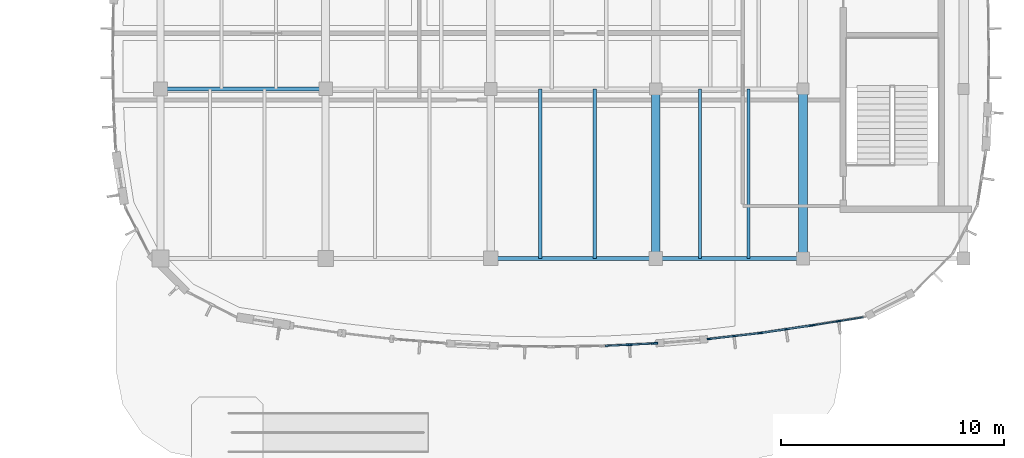
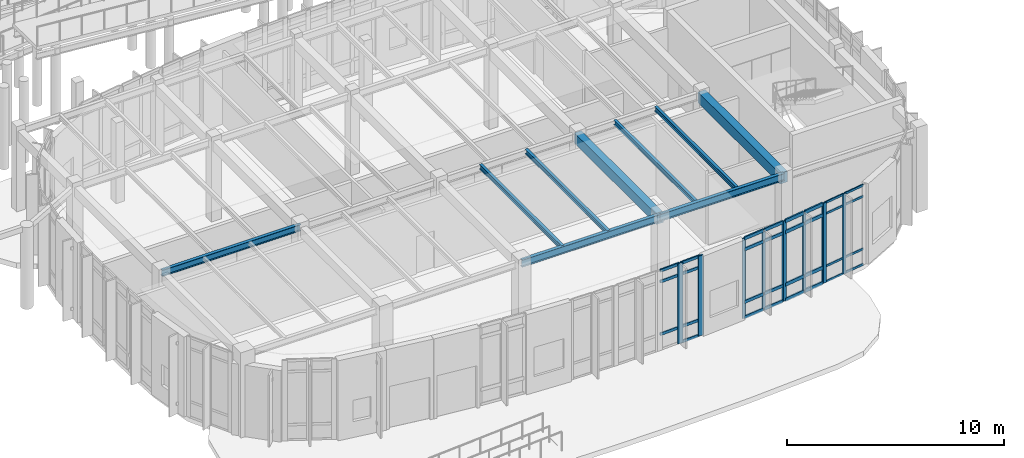
# One storey, part 31 of 120: 41 members, 9 beams, 4 elements without a shape of their own.
"""IFC4 building model written with IfcOpenShell, lengths in metres."""

from ifc_helpers import new_model, si_unit, direction, frame, origin, origin_2d, place, context, subcontext, project, spatial, rectangle, i_section, extrude, material, material_profile, profile_set, type_object, element, aggregate, save


model = new_model("IFC4")

# Units and contexts
model_context = context("Model", 3, precision=1e-05, world=origin(), true_north=direction((0.0, 1.0)))
body_context = subcontext(model_context, "Body", "Model", "MODEL_VIEW")
ifc_project = project(units=[si_unit("LENGTHUNIT", "METRE"), si_unit("AREAUNIT", "SQUARE_METRE"), si_unit("VOLUMEUNIT", "CUBIC_METRE"), si_unit("PLANEANGLEUNIT", "RADIAN"), si_unit("MASSUNIT", "GRAM", prefix="KILO")], contexts=[model_context])

# Site, building, storey
site_placement = place(None, origin())
site = spatial("IfcSite", under=ifc_project, at=site_placement, CompositionType="ELEMENT")
building_placement = place(site_placement, origin())
building = spatial("IfcBuilding", under=site, at=building_placement, Name="Corveleigh Park Community Centre", CompositionType="ELEMENT")
storey_placement = place(building_placement, origin())
storey = spatial("IfcBuildingStorey", under=building, at=storey_placement, Name="L00", CompositionType="ELEMENT", Elevation=0.0)

# Beams
ifc_material_1 = material(Name="Concrete C40/50", Category="concrete")
ifc_material_profile_1 = material_profile(ifc_material_1, rectangle(XDim=0.375, YDim=0.574951171875, at=origin_2d()), Name="RC-375x575", Category="concrete")
ifc_profile_set_1 = profile_set([ifc_material_profile_1], Name="Concrete C40/50")
beam_type_1 = type_object("IfcBeamType", Name="BM-RC-375x575", PredefinedType="BEAM", material=ifc_profile_set_1)
beam_1_placement = place(storey_placement, frame((94.199951171875, 11.205078125, 4.25439453125), z_axis=(0.0, 1.0, 0.0), x_axis=(-1.0, 0.0, 0.0)))
element("IfcBeam", 1, at=beam_1_placement, inside=storey, type_object=beam_type_1, Name="V3 Girder Y", PredefinedType="BEAM", context=body_context, shape_type="SweptSolid", body=[
    extrude(rectangle(XDim=0.375, YDim=0.574951171875, at=origin_2d()), origin(), (0.0, 0.0, 1.0), 7.58984375),
])
ifc_material_profile_2 = material_profile(ifc_material_1, rectangle(XDim=0.39990234375, YDim=0.60009765625, at=origin_2d()), Name="RC-400x600", Category="concrete")
ifc_profile_set_2 = profile_set([ifc_material_profile_2], Name="Concrete C40/50")
beam_type_2 = type_object("IfcBeamType", Name="BM-RC-400x600", PredefinedType="BEAM", material=ifc_profile_set_2)
beam_2_placement = place(storey_placement, frame((100.800048828125, 11.205078125, 4.241943359375), z_axis=(0.0, 1.0, 0.0), x_axis=(-1.0, 0.0, 0.0)))
element("IfcBeam", 2, at=beam_2_placement, inside=storey, type_object=beam_type_2, Name="V3 Girder Y", PredefinedType="BEAM", context=body_context, shape_type="SweptSolid", body=[
    extrude(rectangle(XDim=0.39990234375, YDim=0.60009765625, at=origin_2d()), origin(), (0.0, 0.0, 1.0), 7.58984375),
])
ifc_material_2 = material(Name="Steel S355", Category="steel")
ifc_material_profile_3 = material_profile(ifc_material_2, i_section(OverallWidth=0.146484375, OverallDepth=0.256103515625, WebThickness=0.00634765625, FlangeThickness=0.010986328125, at=origin_2d()), Name="UKB 254x146x37", Category="steel")
ifc_profile_set_3 = profile_set([ifc_material_profile_3], Name="Steel S355")
beam_type_3 = type_object("IfcBeamType", Name="BM-STL-UKB254x37", PredefinedType="JOIST", material=ifc_profile_set_3)
for number, where, z_axis, x_axis, name in (
    (3, (89.02001953125, 11.205078125, 4.4140625), (0.0, 1.0, 0.0), (-1.0, 0.0, 0.0), "Secondary floor joist"),
    (4, (91.4619140625, 11.205078125, 4.4140625), (0.0, 1.0, 0.0), (-1.0, 0.0, 0.0), "Secondary floor joist"),
):
    element("IfcBeam", number, at=place(storey_placement, frame(where, z_axis=z_axis, x_axis=x_axis)), inside=storey, type_object=beam_type_3, Name=name, PredefinedType="JOIST", context=body_context, shape_type="SweptSolid", body=[
        extrude(i_section(OverallWidth=0.146484375, OverallDepth=0.256103515625, WebThickness=0.00634765625, FlangeThickness=0.010986328125, at=origin_2d()), origin(), (0.0, 0.0, 1.0), 7.58984375),
    ])
ifc_material_profile_4 = material_profile(ifc_material_2, i_section(OverallWidth=0.147216796875, OverallDepth=0.259521484375, WebThickness=0.007080078125, FlangeThickness=0.0126953125, at=origin_2d()), Name="UKB 254x146x43", Category="steel")
ifc_profile_set_4 = profile_set([ifc_material_profile_4], Name="Steel S355")
beam_type_4 = type_object("IfcBeamType", Name="BM-STL-UKB254x43", PredefinedType="JOIST", material=ifc_profile_set_4)
for number, where, z_axis, x_axis, name in (
    (5, (96.179931640625, 11.205078125, 4.412109375), (0.0, 1.0, 0.0), (-1.0, 0.0, 0.0), "Secondary floor joist"),
    (6, (98.35791015625, 11.205078125, 4.412109375), (0.0, 1.0, 0.0), (-1.0, 0.0, 0.0), "Secondary floor joist"),
):
    element("IfcBeam", number, at=place(storey_placement, frame(where, z_axis=z_axis, x_axis=x_axis)), inside=storey, type_object=beam_type_4, Name=name, PredefinedType="JOIST", context=body_context, shape_type="SweptSolid", body=[
        extrude(i_section(OverallWidth=0.147216796875, OverallDepth=0.259521484375, WebThickness=0.007080078125, FlangeThickness=0.0126953125, at=origin_2d()), origin(), (0.0, 0.0, 1.0), 7.58984375),
    ])
ifc_material_profile_5 = material_profile(ifc_material_2, i_section(OverallWidth=0.173095703125, OverallDepth=0.36328125, WebThickness=0.009033203125, FlangeThickness=0.015625, at=origin_2d()), Name="UKB 356x171x67", Category="steel")
ifc_profile_set_5 = profile_set([ifc_material_profile_5], Name="Steel S355")
beam_type_5 = type_object("IfcBeamType", Name="BM-STL-UKB356x67", PredefinedType="BEAM", material=ifc_profile_set_5)
beam_3_placement = place(storey_placement, frame((72.0048828125, 18.800048828125, 4.3603515625), z_axis=(1.0, 0.0, 0.0), x_axis=(0.0, 1.0, 0.0)))
element("IfcBeam", 7, at=beam_3_placement, inside=storey, type_object=beam_type_5, Name="V3 Girder X", PredefinedType="BEAM", context=body_context, shape_type="SweptSolid", body=[
    extrude(i_section(OverallWidth=0.173095703125, OverallDepth=0.36328125, WebThickness=0.009033203125, FlangeThickness=0.015625, at=origin_2d()), origin(), (0.0, 0.0, 1.0), 7.39013671875),
])
ifc_material_profile_6 = material_profile(ifc_material_2, i_section(OverallWidth=0.177978515625, OverallDepth=0.406494140625, WebThickness=0.0078125, FlangeThickness=0.0126953125, at=origin_2d()), Name="UKB 406x178x60", Category="steel")
ifc_profile_set_6 = profile_set([ifc_material_profile_6], Name="Steel S355")
beam_type_6 = type_object("IfcBeamType", Name="BM-STL-UKB406x60", PredefinedType="BEAM", material=ifc_profile_set_6)
beam_4_placement = place(storey_placement, frame((86.804931640625, 11.199951171875, 4.3388671875), z_axis=(1.0, 0.0, 0.0), x_axis=(0.0, 1.0, 0.0)))
element("IfcBeam", 8, at=beam_4_placement, inside=storey, type_object=beam_type_6, Name="V3 Girder X", PredefinedType="BEAM", context=body_context, shape_type="SweptSolid", body=[
    extrude(i_section(OverallWidth=0.177978515625, OverallDepth=0.406494140625, WebThickness=0.0078125, FlangeThickness=0.0126953125, at=origin_2d()), origin(), (0.0, 0.0, 1.0), 7.39013671875),
])
ifc_material_profile_7 = material_profile(ifc_material_2, i_section(OverallWidth=0.1787109375, OverallDepth=0.409423828125, WebThickness=0.0087890625, FlangeThickness=0.014404296875, at=origin_2d()), Name="UKB 406x178x67", Category="steel")
ifc_profile_set_7 = profile_set([ifc_material_profile_7], Name="Steel S355")
beam_type_7 = type_object("IfcBeamType", Name="BM-STL-UKB406x67", PredefinedType="BEAM", material=ifc_profile_set_7)
beam_5_placement = place(storey_placement, frame((94.205078125, 11.199951171875, 4.33740234375), z_axis=(1.0, 0.0, 0.0), x_axis=(0.0, 1.0, 0.0)))
element("IfcBeam", 9, at=beam_5_placement, inside=storey, type_object=beam_type_7, Name="V3 Girder X", PredefinedType="BEAM", context=body_context, shape_type="SweptSolid", body=[
    extrude(i_section(OverallWidth=0.1787109375, OverallDepth=0.409423828125, WebThickness=0.0087890625, FlangeThickness=0.014404296875, at=origin_2d()), origin(), (0.0, 0.0, 1.0), 6.58984375),
])

# Curtain wall, members
ifc_material_3 = material(Name="Anodised aluminium 6063-T6", Category="aluminium")
curtain_wall_type = type_object("IfcCurtainWallType", Name="CW-SYS-V3-L00", PredefinedType="NOTDEFINED", material=ifc_material_3)
curtain_wall_1_placement = place(storey_placement, origin())
curtain_wall_1 = element("IfcCurtainWall", 10, at=curtain_wall_1_placement, inside=storey, type_object=curtain_wall_type, Name="V3 L00 Curtain Wall 79", PredefinedType="NOTDEFINED")
ifc_material_profile_8 = material_profile(ifc_material_3, rectangle(XDim=0.06005859375, YDim=0.159912109375, at=origin_2d()), Name="ALU-M60x160", Category="aluminium")
ifc_profile_set_8 = profile_set([ifc_material_profile_8], Name="Anodised aluminium 6063-T6")
member_type_1 = type_object("IfcMemberType", Name="CWM-60x160", PredefinedType="MULLION", material=ifc_profile_set_8)
member_1_placement = place(storey_placement, frame((98.836181640625, 7.8505859375, 0.0), z_axis=(0.0, 0.0, 1.0), x_axis=(0.114477641449, -0.993425824915, 0.0)))
member_1 = element("IfcMember", 11, at=member_1_placement, type_object=member_type_1, Name="CW05 mullion 1", PredefinedType="MULLION", context=body_context, shape_type="SweptSolid", body=[
    extrude(rectangle(XDim=0.06005859375, YDim=0.159912109375, at=origin_2d()), origin(), (0.0, 0.0, 1.0), 4.511962890625),
])
member_2_placement = place(storey_placement, frame((97.70751953125, 7.720458984375, 0.0), z_axis=(0.0, 0.0, 1.0), x_axis=(0.114477641449, -0.993425824915, 0.0)))
member_2 = element("IfcMember", 12, at=member_2_placement, type_object=member_type_1, Name="CW05 mullion 2", PredefinedType="MULLION", context=body_context, shape_type="SweptSolid", body=[
    extrude(rectangle(XDim=0.06005859375, YDim=0.159912109375, at=origin_2d()), origin(), (0.0, 0.0, 1.0), 4.511962890625),
])
member_3_placement = place(storey_placement, frame((96.578857421875, 7.59033203125, 0.0), z_axis=(0.0, 0.0, 1.0), x_axis=(0.114477641449, -0.993425824915, 0.0)))
member_3 = element("IfcMember", 13, at=member_3_placement, type_object=member_type_1, Name="CW05 mullion 3", PredefinedType="MULLION", context=body_context, shape_type="SweptSolid", body=[
    extrude(rectangle(XDim=0.06005859375, YDim=0.159912109375, at=origin_2d()), origin(), (0.0, 0.0, 1.0), 4.511962890625),
])

curtain_wall_2_placement = place(storey_placement, origin())
curtain_wall_2 = element("IfcCurtainWall", 14, at=curtain_wall_2_placement, inside=storey, type_object=curtain_wall_type, Name="V3 L00 Curtain Wall 80", PredefinedType="NOTDEFINED")
ifc_material_profile_9 = material_profile(ifc_material_3, rectangle(XDim=0.06494140625, YDim=0.179931640625, at=origin_2d()), Name="ALU-M65x180", Category="aluminium")
ifc_profile_set_9 = profile_set([ifc_material_profile_9], Name="Anodised aluminium 6063-T6")
member_type_2 = type_object("IfcMemberType", Name="CWM-65x180", PredefinedType="MULLION", material=ifc_profile_set_9)
member_4_placement = place(storey_placement, frame((101.160888671875, 8.1943359375, 0.0), z_axis=(0.0, 0.0, 1.0), x_axis=(0.146936785797, -0.989145884579, 0.0)))
member_4 = element("IfcMember", 15, at=member_4_placement, type_object=member_type_2, Name="CW05 mullion 1", PredefinedType="MULLION", context=body_context, shape_type="SweptSolid", body=[
    extrude(rectangle(XDim=0.06494140625, YDim=0.179931640625, at=origin_2d()), origin(), (0.0, 0.0, 1.0), 4.511962890625),
])
member_5_placement = place(storey_placement, frame((100.03857421875, 8.027587890625, 0.0), z_axis=(0.0, 0.0, 1.0), x_axis=(0.146936785797, -0.989145884579, 0.0)))
member_5 = element("IfcMember", 16, at=member_5_placement, type_object=member_type_2, Name="CW05 mullion 2", PredefinedType="MULLION", context=body_context, shape_type="SweptSolid", body=[
    extrude(rectangle(XDim=0.06494140625, YDim=0.179931640625, at=origin_2d()), origin(), (0.0, 0.0, 1.0), 4.511962890625),
])
member_6_placement = place(storey_placement, frame((98.916259765625, 7.86083984375, 0.0), z_axis=(0.0, 0.0, 1.0), x_axis=(0.146936785797, -0.989145884579, 0.0)))
member_6 = element("IfcMember", 17, at=member_6_placement, type_object=member_type_2, Name="CW05 mullion 3", PredefinedType="MULLION", context=body_context, shape_type="SweptSolid", body=[
    extrude(rectangle(XDim=0.06494140625, YDim=0.179931640625, at=origin_2d()), origin(), (0.0, 0.0, 1.0), 4.511962890625),
])

curtain_wall_3_placement = place(storey_placement, origin())
curtain_wall_3 = element("IfcCurtainWall", 18, at=curtain_wall_3_placement, inside=storey, type_object=curtain_wall_type, Name="V3 L00 Curtain Wall 81", PredefinedType="NOTDEFINED")
ifc_material_profile_10 = material_profile(ifc_material_3, rectangle(XDim=0.070068359375, YDim=0.199951171875, at=origin_2d()), Name="ALU-M70x200", Category="aluminium")
ifc_profile_set_10 = profile_set([ifc_material_profile_10], Name="Anodised aluminium 6063-T6")
member_type_3 = type_object("IfcMemberType", Name="CWM-70x200", PredefinedType="MULLION", material=ifc_profile_set_10)
member_7_placement = place(storey_placement, frame((102.389404296875, 8.388427734375, 0.0), z_axis=(0.0, 0.0, 1.0), x_axis=(0.156605894344, -0.98766117361, 0.0)))
member_7 = element("IfcMember", 19, at=member_7_placement, type_object=member_type_3, Name="CW05 mullion 2", PredefinedType="MULLION", context=body_context, shape_type="SweptSolid", body=[
    extrude(rectangle(XDim=0.070068359375, YDim=0.199951171875, at=origin_2d()), origin(), (0.0, 0.0, 1.0), 4.511962890625),
])
member_8_placement = place(storey_placement, frame((101.241455078125, 8.20654296875, 0.0), z_axis=(0.0, 0.0, 1.0), x_axis=(0.156605894344, -0.98766117361, 0.0)))
member_8 = element("IfcMember", 20, at=member_8_placement, type_object=member_type_3, Name="CW05 mullion 3", PredefinedType="MULLION", context=body_context, shape_type="SweptSolid", body=[
    extrude(rectangle(XDim=0.070068359375, YDim=0.199951171875, at=origin_2d()), origin(), (0.0, 0.0, 1.0), 4.511962890625),
])

curtain_wall_4_placement = place(storey_placement, origin())
curtain_wall_4 = element("IfcCurtainWall", 21, at=curtain_wall_4_placement, inside=storey, type_object=curtain_wall_type, Name="V3 L00 Curtain Wall 78", PredefinedType="NOTDEFINED")
ifc_material_profile_11 = material_profile(ifc_material_3, rectangle(XDim=0.0849609375, YDim=0.27490234375, at=origin_2d()), Name="ALU-M85x275", Category="aluminium")
ifc_profile_set_11 = profile_set([ifc_material_profile_11], Name="Anodised aluminium 6063-T6")
member_type_4 = type_object("IfcMemberType", Name="CWM-85x275", PredefinedType="MULLION", material=ifc_profile_set_11)
member_9_placement = place(storey_placement, frame((94.146484375, 7.391845703125, 0.0), z_axis=(0.0, 0.0, 1.0), x_axis=(0.049723823459, -0.998763005613, 0.0)))
member_9 = element("IfcMember", 22, at=member_9_placement, type_object=member_type_4, Name="CW05 mullion 1", PredefinedType="MULLION", context=body_context, shape_type="SweptSolid", body=[
    extrude(rectangle(XDim=0.0849609375, YDim=0.27490234375, at=origin_2d()), origin(), (0.0, 0.0, 1.0), 4.511962890625),
])
member_10_placement = place(storey_placement, frame((93.02392578125, 7.3359375, 0.0), z_axis=(0.0, 0.0, 1.0), x_axis=(0.049723823459, -0.998763005613, 0.0)))
member_10 = element("IfcMember", 23, at=member_10_placement, type_object=member_type_4, Name="CW05 mullion 2", PredefinedType="MULLION", context=body_context, shape_type="SweptSolid", body=[
    extrude(rectangle(XDim=0.0849609375, YDim=0.27490234375, at=origin_2d()), origin(), (0.0, 0.0, 1.0), 4.511962890625),
])

# Member
ifc_material_profile_12 = material_profile(ifc_material_3, rectangle(XDim=0.06005859375, YDim=0.1201171875, at=origin_2d()), Name="ALU-T60x120", Category="aluminium")
ifc_profile_set_12 = profile_set([ifc_material_profile_12], Name="Anodised aluminium 6063-T6")
member_type_5 = type_object("IfcMemberType", Name="CWT-60x120", PredefinedType="USERDEFINED", material=ifc_profile_set_12)
member_11_placement = place(storey_placement, frame((103.5029296875, 8.56494140625, 0.030029296875), z_axis=(-0.98768491603, -0.156456085363, 0.0), x_axis=(0.156456085363, -0.98768491603, 0.0)))
member_11 = element("IfcMember", 24, at=member_11_placement, type_object=member_type_5, Name="CW05 transom 1.1", ObjectType="TRANSOM", PredefinedType="USERDEFINED", context=body_context, shape_type="SweptSolid", body=[
    extrude(rectangle(XDim=0.06005859375, YDim=0.1201171875, at=origin_2d()), origin(), (0.0, 0.0, 1.0), 1.09228515625),
])

member_12_placement = place(storey_placement, frame((103.5029296875, 8.56494140625, 0.89990234375), z_axis=(-0.98768491603, -0.156456085363, 0.0), x_axis=(0.156456085363, -0.98768491603, 0.0)))
member_12 = element("IfcMember", 25, at=member_12_placement, type_object=member_type_5, Name="CW05 transom 1.2", ObjectType="TRANSOM", PredefinedType="USERDEFINED", context=body_context, shape_type="SweptSolid", body=[
    extrude(rectangle(XDim=0.06005859375, YDim=0.1201171875, at=origin_2d()), origin(), (0.0, 0.0, 1.0), 1.09228515625),
])

member_13_placement = place(storey_placement, frame((103.5029296875, 8.56494140625, 3.862060546875), z_axis=(-0.98768491603, -0.156456085363, 0.0), x_axis=(0.156456085363, -0.98768491603, 0.0)))
member_13 = element("IfcMember", 26, at=member_13_placement, type_object=member_type_5, Name="CW05 transom 1.3", ObjectType="TRANSOM", PredefinedType="USERDEFINED", context=body_context, shape_type="SweptSolid", body=[
    extrude(rectangle(XDim=0.06005859375, YDim=0.1201171875, at=origin_2d()), origin(), (0.0, 0.0, 1.0), 1.09228515625),
])

member_14_placement = place(storey_placement, frame((103.5029296875, 8.56494140625, 4.48193359375), z_axis=(-0.98768491603, -0.156456085363, 0.0), x_axis=(0.156456085363, -0.98768491603, 0.0)))
member_14 = element("IfcMember", 27, at=member_14_placement, type_object=member_type_5, Name="CW05 transom 1.4", ObjectType="TRANSOM", PredefinedType="USERDEFINED", context=body_context, shape_type="SweptSolid", body=[
    extrude(rectangle(XDim=0.06005859375, YDim=0.1201171875, at=origin_2d()), origin(), (0.0, 0.0, 1.0), 1.09228515625),
])

member_15_placement = place(storey_placement, frame((102.35498046875, 8.383056640625, 0.030029296875), z_axis=(-0.987650354528, -0.156674111456, 0.0), x_axis=(0.156674111456, -0.987650354528, 0.0)))
member_15 = element("IfcMember", 28, at=member_15_placement, type_object=member_type_5, Name="CW05 transom 2.1", ObjectType="TRANSOM", PredefinedType="USERDEFINED", context=body_context, shape_type="SweptSolid", body=[
    extrude(rectangle(XDim=0.06005859375, YDim=0.1201171875, at=origin_2d()), origin(), (0.0, 0.0, 1.0), 1.09228515625),
])

member_16_placement = place(storey_placement, frame((102.35498046875, 8.383056640625, 0.89990234375), z_axis=(-0.987650354528, -0.156674111456, 0.0), x_axis=(0.156674111456, -0.987650354528, 0.0)))
member_16 = element("IfcMember", 29, at=member_16_placement, type_object=member_type_5, Name="CW05 transom 2.2", ObjectType="TRANSOM", PredefinedType="USERDEFINED", context=body_context, shape_type="SweptSolid", body=[
    extrude(rectangle(XDim=0.06005859375, YDim=0.1201171875, at=origin_2d()), origin(), (0.0, 0.0, 1.0), 1.09228515625),
])

member_17_placement = place(storey_placement, frame((102.35498046875, 8.383056640625, 3.862060546875), z_axis=(-0.987650354528, -0.156674111456, 0.0), x_axis=(0.156674111456, -0.987650354528, 0.0)))
member_17 = element("IfcMember", 30, at=member_17_placement, type_object=member_type_5, Name="CW05 transom 2.3", ObjectType="TRANSOM", PredefinedType="USERDEFINED", context=body_context, shape_type="SweptSolid", body=[
    extrude(rectangle(XDim=0.06005859375, YDim=0.1201171875, at=origin_2d()), origin(), (0.0, 0.0, 1.0), 1.09228515625),
])

member_18_placement = place(storey_placement, frame((102.35498046875, 8.383056640625, 4.48193359375), z_axis=(-0.987650354528, -0.156674111456, 0.0), x_axis=(0.156674111456, -0.987650354528, 0.0)))
member_18 = element("IfcMember", 31, at=member_18_placement, type_object=member_type_5, Name="CW05 transom 2.4", ObjectType="TRANSOM", PredefinedType="USERDEFINED", context=body_context, shape_type="SweptSolid", body=[
    extrude(rectangle(XDim=0.06005859375, YDim=0.1201171875, at=origin_2d()), origin(), (0.0, 0.0, 1.0), 1.09228515625),
])

aggregate(curtain_wall_3, [member_7, member_8, member_11, member_12, member_13, member_14, member_15, member_16, member_17, member_18])

ifc_material_profile_13 = material_profile(ifc_material_3, rectangle(XDim=0.070068359375, YDim=0.155029296875, at=origin_2d()), Name="ALU-T70x155", Category="aluminium")
ifc_profile_set_13 = profile_set([ifc_material_profile_13], Name="Anodised aluminium 6063-T6")
member_type_6 = type_object("IfcMemberType", Name="CWT-70x155", PredefinedType="USERDEFINED", material=ifc_profile_set_13)
member_19_placement = place(storey_placement, frame((94.10400390625, 7.389892578125, 0.034912109375), z_axis=(-0.998758192398, -0.049820408656, 0.0), x_axis=(0.049820408656, -0.998758192398, 0.0)))
member_19 = element("IfcMember", 32, at=member_19_placement, type_object=member_type_6, Name="CW05 transom 1.1", ObjectType="TRANSOM", PredefinedType="USERDEFINED", context=body_context, shape_type="SweptSolid", body=[
    extrude(rectangle(XDim=0.070068359375, YDim=0.155029296875, at=origin_2d()), origin(), (0.0, 0.0, 1.0), 1.038818359375),
])

member_20_placement = place(storey_placement, frame((94.10400390625, 7.389892578125, 0.89990234375), z_axis=(-0.998758192398, -0.049820408656, 0.0), x_axis=(0.049820408656, -0.998758192398, 0.0)))
member_20 = element("IfcMember", 33, at=member_20_placement, type_object=member_type_6, Name="CW05 transom 1.2", ObjectType="TRANSOM", PredefinedType="USERDEFINED", context=body_context, shape_type="SweptSolid", body=[
    extrude(rectangle(XDim=0.070068359375, YDim=0.155029296875, at=origin_2d()), origin(), (0.0, 0.0, 1.0), 1.038818359375),
])

member_21_placement = place(storey_placement, frame((94.10400390625, 7.389892578125, 3.862060546875), z_axis=(-0.998758192398, -0.049820408656, 0.0), x_axis=(0.049820408656, -0.998758192398, 0.0)))
member_21 = element("IfcMember", 34, at=member_21_placement, type_object=member_type_6, Name="CW05 transom 1.3", ObjectType="TRANSOM", PredefinedType="USERDEFINED", context=body_context, shape_type="SweptSolid", body=[
    extrude(rectangle(XDim=0.070068359375, YDim=0.155029296875, at=origin_2d()), origin(), (0.0, 0.0, 1.0), 1.038818359375),
])

member_22_placement = place(storey_placement, frame((94.10400390625, 7.389892578125, 4.47705078125), z_axis=(-0.998758192398, -0.049820408656, 0.0), x_axis=(0.049820408656, -0.998758192398, 0.0)))
member_22 = element("IfcMember", 35, at=member_22_placement, type_object=member_type_6, Name="CW05 transom 1.4", ObjectType="TRANSOM", PredefinedType="USERDEFINED", context=body_context, shape_type="SweptSolid", body=[
    extrude(rectangle(XDim=0.070068359375, YDim=0.155029296875, at=origin_2d()), origin(), (0.0, 0.0, 1.0), 1.038818359375),
])

member_23_placement = place(storey_placement, frame((92.9814453125, 7.333984375, 0.89990234375), z_axis=(-0.998758192398, -0.049820408656, 0.0), x_axis=(0.049820408656, -0.998758192398, 0.0)))
member_23 = element("IfcMember", 36, at=member_23_placement, type_object=member_type_6, Name="CW05 transom 2.2", ObjectType="TRANSOM", PredefinedType="USERDEFINED", context=body_context, shape_type="SweptSolid", body=[
    extrude(rectangle(XDim=0.070068359375, YDim=0.155029296875, at=origin_2d()), origin(), (0.0, 0.0, 1.0), 1.038818359375),
])

member_24_placement = place(storey_placement, frame((92.9814453125, 7.333984375, 3.862060546875), z_axis=(-0.998758192398, -0.049820408656, 0.0), x_axis=(0.049820408656, -0.998758192398, 0.0)))
member_24 = element("IfcMember", 37, at=member_24_placement, type_object=member_type_6, Name="CW05 transom 2.3", ObjectType="TRANSOM", PredefinedType="USERDEFINED", context=body_context, shape_type="SweptSolid", body=[
    extrude(rectangle(XDim=0.070068359375, YDim=0.155029296875, at=origin_2d()), origin(), (0.0, 0.0, 1.0), 1.038818359375),
])

member_25_placement = place(storey_placement, frame((92.9814453125, 7.333984375, 4.47705078125), z_axis=(-0.998758192398, -0.049820408656, 0.0), x_axis=(0.049820408656, -0.998758192398, 0.0)))
member_25 = element("IfcMember", 38, at=member_25_placement, type_object=member_type_6, Name="CW05 transom 2.4", ObjectType="TRANSOM", PredefinedType="USERDEFINED", context=body_context, shape_type="SweptSolid", body=[
    extrude(rectangle(XDim=0.070068359375, YDim=0.155029296875, at=origin_2d()), origin(), (0.0, 0.0, 1.0), 1.038818359375),
])

aggregate(curtain_wall_4, [member_9, member_10, member_19, member_20, member_21, member_22, member_23, member_24, member_25])

ifc_material_profile_14 = material_profile(ifc_material_3, rectangle(XDim=0.074951171875, YDim=0.175048828125, at=origin_2d()), Name="ALU-T75x175", Category="aluminium")
ifc_profile_set_14 = profile_set([ifc_material_profile_14], Name="Anodised aluminium 6063-T6")
member_type_7 = type_object("IfcMemberType", Name="CWT-75x175", PredefinedType="USERDEFINED", material=ifc_profile_set_14)
member_26_placement = place(storey_placement, frame((98.806396484375, 7.84716796875, 0.03759765625), z_axis=(-0.993415888846, -0.114563832808, 0.0), x_axis=(0.114563832808, -0.993415888846, 0.0)))
member_26 = element("IfcMember", 39, at=member_26_placement, type_object=member_type_7, Name="CW05 transom 1.1", ObjectType="TRANSOM", PredefinedType="USERDEFINED", context=body_context, shape_type="SweptSolid", body=[
    extrude(rectangle(XDim=0.074951171875, YDim=0.175048828125, at=origin_2d()), origin(), (0.0, 0.0, 1.0), 1.076171875),
])

member_27_placement = place(storey_placement, frame((98.806396484375, 7.84716796875, 0.89990234375), z_axis=(-0.993415888846, -0.114563832808, 0.0), x_axis=(0.114563832808, -0.993415888846, 0.0)))
member_27 = element("IfcMember", 40, at=member_27_placement, type_object=member_type_7, Name="CW05 transom 1.2", ObjectType="TRANSOM", PredefinedType="USERDEFINED", context=body_context, shape_type="SweptSolid", body=[
    extrude(rectangle(XDim=0.074951171875, YDim=0.175048828125, at=origin_2d()), origin(), (0.0, 0.0, 1.0), 1.076171875),
])

member_28_placement = place(storey_placement, frame((98.806396484375, 7.84716796875, 3.862060546875), z_axis=(-0.993415888846, -0.114563832808, 0.0), x_axis=(0.114563832808, -0.993415888846, 0.0)))
member_28 = element("IfcMember", 41, at=member_28_placement, type_object=member_type_7, Name="CW05 transom 1.3", ObjectType="TRANSOM", PredefinedType="USERDEFINED", context=body_context, shape_type="SweptSolid", body=[
    extrude(rectangle(XDim=0.074951171875, YDim=0.175048828125, at=origin_2d()), origin(), (0.0, 0.0, 1.0), 1.076171875),
])

member_29_placement = place(storey_placement, frame((98.806396484375, 7.84716796875, 4.474609375), z_axis=(-0.993415888846, -0.114563832808, 0.0), x_axis=(0.114563832808, -0.993415888846, 0.0)))
member_29 = element("IfcMember", 42, at=member_29_placement, type_object=member_type_7, Name="CW05 transom 1.4", ObjectType="TRANSOM", PredefinedType="USERDEFINED", context=body_context, shape_type="SweptSolid", body=[
    extrude(rectangle(XDim=0.074951171875, YDim=0.175048828125, at=origin_2d()), origin(), (0.0, 0.0, 1.0), 1.076171875),
])

member_30_placement = place(storey_placement, frame((97.677734375, 7.717041015625, 0.03759765625), z_axis=(-0.993415888846, -0.114563832808, 0.0), x_axis=(0.114563832808, -0.993415888846, 0.0)))
member_30 = element("IfcMember", 43, at=member_30_placement, type_object=member_type_7, Name="CW05 transom 2.1", ObjectType="TRANSOM", PredefinedType="USERDEFINED", context=body_context, shape_type="SweptSolid", body=[
    extrude(rectangle(XDim=0.074951171875, YDim=0.175048828125, at=origin_2d()), origin(), (0.0, 0.0, 1.0), 1.076171875),
])

member_31_placement = place(storey_placement, frame((97.677734375, 7.717041015625, 0.89990234375), z_axis=(-0.993415888846, -0.114563832808, 0.0), x_axis=(0.114563832808, -0.993415888846, 0.0)))
member_31 = element("IfcMember", 44, at=member_31_placement, type_object=member_type_7, Name="CW05 transom 2.2", ObjectType="TRANSOM", PredefinedType="USERDEFINED", context=body_context, shape_type="SweptSolid", body=[
    extrude(rectangle(XDim=0.074951171875, YDim=0.175048828125, at=origin_2d()), origin(), (0.0, 0.0, 1.0), 1.076171875),
])

member_32_placement = place(storey_placement, frame((97.677734375, 7.717041015625, 3.862060546875), z_axis=(-0.993415888846, -0.114563832808, 0.0), x_axis=(0.114563832808, -0.993415888846, 0.0)))
member_32 = element("IfcMember", 45, at=member_32_placement, type_object=member_type_7, Name="CW05 transom 2.3", ObjectType="TRANSOM", PredefinedType="USERDEFINED", context=body_context, shape_type="SweptSolid", body=[
    extrude(rectangle(XDim=0.074951171875, YDim=0.175048828125, at=origin_2d()), origin(), (0.0, 0.0, 1.0), 1.076171875),
])

member_33_placement = place(storey_placement, frame((97.677734375, 7.717041015625, 4.474609375), z_axis=(-0.993415888846, -0.114563832808, 0.0), x_axis=(0.114563832808, -0.993415888846, 0.0)))
member_33 = element("IfcMember", 46, at=member_33_placement, type_object=member_type_7, Name="CW05 transom 2.4", ObjectType="TRANSOM", PredefinedType="USERDEFINED", context=body_context, shape_type="SweptSolid", body=[
    extrude(rectangle(XDim=0.074951171875, YDim=0.175048828125, at=origin_2d()), origin(), (0.0, 0.0, 1.0), 1.076171875),
])

aggregate(curtain_wall_1, [member_1, member_2, member_3, member_26, member_27, member_28, member_29, member_30, member_31, member_32, member_33])

ifc_material_profile_15 = material_profile(ifc_material_3, rectangle(XDim=0.080078125, YDim=0.195068359375, at=origin_2d()), Name="ALU-T80x195", Category="aluminium")
ifc_profile_set_15 = profile_set([ifc_material_profile_15], Name="Anodised aluminium 6063-T6")
member_type_8 = type_object("IfcMemberType", Name="CWT-80x195", PredefinedType="USERDEFINED", material=ifc_profile_set_15)
member_34_placement = place(storey_placement, frame((101.128662109375, 8.189453125, 0.0400390625), z_axis=(-0.989139648847, -0.146978757235, 0.0), x_axis=(0.146978757235, -0.989139648847, 0.0)))
member_34 = element("IfcMember", 47, at=member_34_placement, type_object=member_type_8, Name="CW05 transom 1.1", ObjectType="TRANSOM", PredefinedType="USERDEFINED", context=body_context, shape_type="SweptSolid", body=[
    extrude(rectangle(XDim=0.080078125, YDim=0.195068359375, at=origin_2d()), origin(), (0.0, 0.0, 1.0), 1.06982421875),
])

member_35_placement = place(storey_placement, frame((101.128662109375, 8.189453125, 0.89990234375), z_axis=(-0.989139648847, -0.146978757235, 0.0), x_axis=(0.146978757235, -0.989139648847, 0.0)))
member_35 = element("IfcMember", 48, at=member_35_placement, type_object=member_type_8, Name="CW05 transom 1.2", ObjectType="TRANSOM", PredefinedType="USERDEFINED", context=body_context, shape_type="SweptSolid", body=[
    extrude(rectangle(XDim=0.080078125, YDim=0.195068359375, at=origin_2d()), origin(), (0.0, 0.0, 1.0), 1.06982421875),
])

member_36_placement = place(storey_placement, frame((101.128662109375, 8.189453125, 3.862060546875), z_axis=(-0.989139648847, -0.146978757235, 0.0), x_axis=(0.146978757235, -0.989139648847, 0.0)))
member_36 = element("IfcMember", 49, at=member_36_placement, type_object=member_type_8, Name="CW05 transom 1.3", ObjectType="TRANSOM", PredefinedType="USERDEFINED", context=body_context, shape_type="SweptSolid", body=[
    extrude(rectangle(XDim=0.080078125, YDim=0.195068359375, at=origin_2d()), origin(), (0.0, 0.0, 1.0), 1.06982421875),
])

member_37_placement = place(storey_placement, frame((101.128662109375, 8.189453125, 4.471923828125), z_axis=(-0.989139648847, -0.146978757235, 0.0), x_axis=(0.146978757235, -0.989139648847, 0.0)))
member_37 = element("IfcMember", 50, at=member_37_placement, type_object=member_type_8, Name="CW05 transom 1.4", ObjectType="TRANSOM", PredefinedType="USERDEFINED", context=body_context, shape_type="SweptSolid", body=[
    extrude(rectangle(XDim=0.080078125, YDim=0.195068359375, at=origin_2d()), origin(), (0.0, 0.0, 1.0), 1.06982421875),
])

member_38_placement = place(storey_placement, frame((100.00634765625, 8.022705078125, 0.0400390625), z_axis=(-0.989139648847, -0.146978757235, 0.0), x_axis=(0.146978757235, -0.989139648847, 0.0)))
member_38 = element("IfcMember", 51, at=member_38_placement, type_object=member_type_8, Name="CW05 transom 2.1", ObjectType="TRANSOM", PredefinedType="USERDEFINED", context=body_context, shape_type="SweptSolid", body=[
    extrude(rectangle(XDim=0.080078125, YDim=0.195068359375, at=origin_2d()), origin(), (0.0, 0.0, 1.0), 1.06982421875),
])

member_39_placement = place(storey_placement, frame((100.00634765625, 8.022705078125, 0.89990234375), z_axis=(-0.989139648847, -0.146978757235, 0.0), x_axis=(0.146978757235, -0.989139648847, 0.0)))
member_39 = element("IfcMember", 52, at=member_39_placement, type_object=member_type_8, Name="CW05 transom 2.2", ObjectType="TRANSOM", PredefinedType="USERDEFINED", context=body_context, shape_type="SweptSolid", body=[
    extrude(rectangle(XDim=0.080078125, YDim=0.195068359375, at=origin_2d()), origin(), (0.0, 0.0, 1.0), 1.06982421875),
])

member_40_placement = place(storey_placement, frame((100.00634765625, 8.022705078125, 3.862060546875), z_axis=(-0.989139648847, -0.146978757235, 0.0), x_axis=(0.146978757235, -0.989139648847, 0.0)))
member_40 = element("IfcMember", 53, at=member_40_placement, type_object=member_type_8, Name="CW05 transom 2.3", ObjectType="TRANSOM", PredefinedType="USERDEFINED", context=body_context, shape_type="SweptSolid", body=[
    extrude(rectangle(XDim=0.080078125, YDim=0.195068359375, at=origin_2d()), origin(), (0.0, 0.0, 1.0), 1.06982421875),
])

member_41_placement = place(storey_placement, frame((100.00634765625, 8.022705078125, 4.471923828125), z_axis=(-0.989139648847, -0.146978757235, 0.0), x_axis=(0.146978757235, -0.989139648847, 0.0)))
member_41 = element("IfcMember", 54, at=member_41_placement, type_object=member_type_8, Name="CW05 transom 2.4", ObjectType="TRANSOM", PredefinedType="USERDEFINED", context=body_context, shape_type="SweptSolid", body=[
    extrude(rectangle(XDim=0.080078125, YDim=0.195068359375, at=origin_2d()), origin(), (0.0, 0.0, 1.0), 1.06982421875),
])

aggregate(curtain_wall_2, [member_4, member_5, member_6, member_34, member_35, member_36, member_37, member_38, member_39, member_40, member_41])

save(model, "model.ifc")
